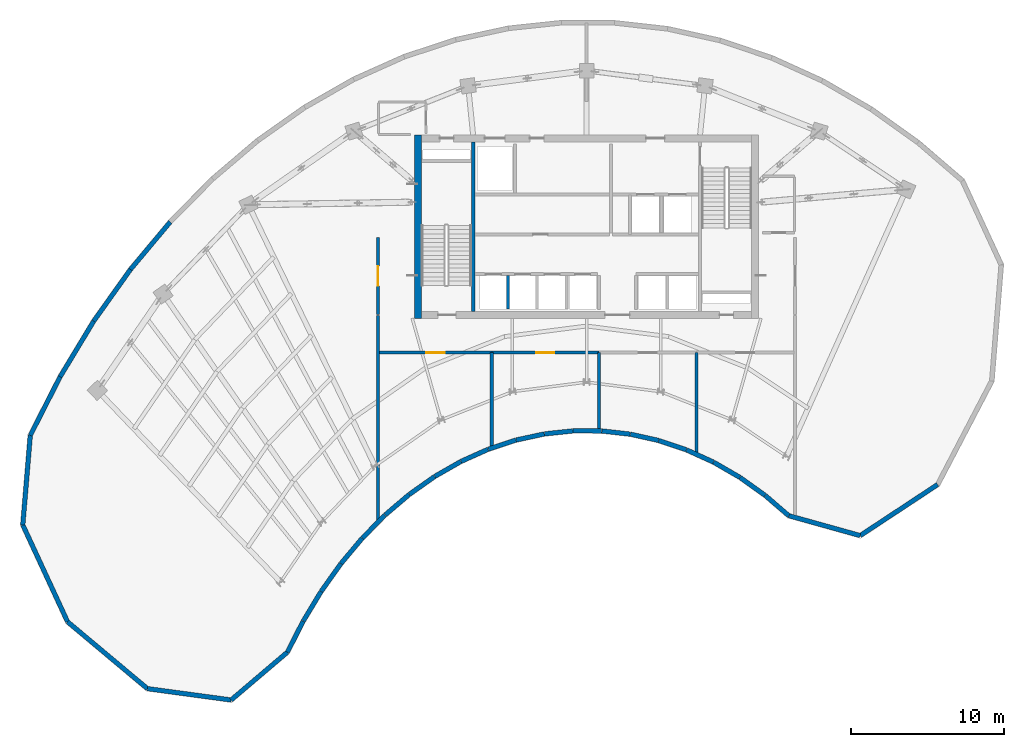
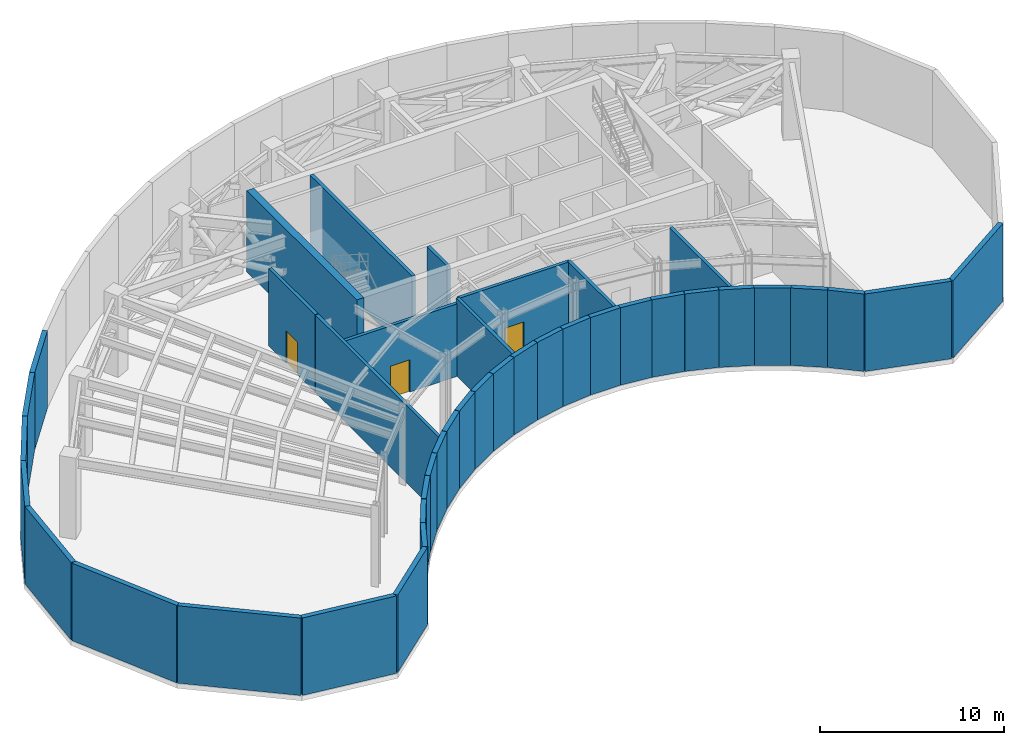
# One storey, part 6 of 10: 41 walls, 3 doors, 3 openings.
"""IFC4 building model written with IfcOpenShell, lengths in metres."""

from ifc_helpers import new_model, si_unit, direction, frame, frame_2d, origin, place, context, subcontext, project, spatial, rectangle, extrude, source, transform, mapped, material, layer, layer_set, type_object, type_shapes, element, fill, save


model = new_model("IFC4")

# Units and contexts
model_context = context("Model", 3, precision=1e-05, world=origin(), true_north=direction((0.0, 1.0)))
body_context = subcontext(model_context, "Body", "Model", "MODEL_VIEW")
ifc_project = project(units=[si_unit("LENGTHUNIT", "METRE"), si_unit("AREAUNIT", "SQUARE_METRE"), si_unit("VOLUMEUNIT", "CUBIC_METRE"), si_unit("PLANEANGLEUNIT", "RADIAN"), si_unit("MASSUNIT", "GRAM", prefix="KILO")], contexts=[model_context])

# Site, building, storey
site_placement = place(None, origin())
site = spatial("IfcSite", under=ifc_project, at=site_placement, CompositionType="ELEMENT")
building_placement = place(site_placement, origin())
building = spatial("IfcBuilding", under=site, at=building_placement, Name="Breltana Convention Tower", CompositionType="ELEMENT")
storey_placement = place(building_placement, frame((0.0, 0.0, 254.699951171875)))
storey = spatial("IfcBuildingStorey", under=building, at=storey_placement, Name="L62", CompositionType="ELEMENT", Elevation=254.699951171875)

# Walls
ifc_material_1 = material(Name="Concrete C60/75", Category="concrete")
ifc_layer_1 = layer(ifc_material_1, 0.449951171875, Name="Concrete C60/75")
ifc_layer_set_1 = layer_set([ifc_layer_1], Name="Concrete C60/75")
wall_type_1 = type_object("IfcWallType", Name="SW-CORE-450", PredefinedType="SHEAR", material=ifc_layer_set_1)
shared_shape_1 = source(origin(), body_context, "Body", "SweptSolid", [
    extrude(rectangle(XDim=12.0, YDim=0.449951171875, at=frame_2d((6.0, 0.0))), origin(), (0.0, 0.0, 1.0), 5.400146484375),
])
wall_1_placement = place(storey_placement, frame((36.97509765625, 60.199951171875, 0.0), z_axis=(0.0, 0.0, 1.0), x_axis=(0.0, 1.0, 0.0)))
element("IfcWall", 1, at=wall_1_placement, inside=storey, type_object=wall_type_1, Name="L62 West Core Shear Wall", PredefinedType="SHEAR", context=body_context, shape_type="MappedRepresentation", body=[
    mapped(shared_shape_1, transform((0.0, 0.0, 0.0), scale=1.0)),
])
ifc_material_2 = material(Name="Concrete C50/60", Category="concrete")
ifc_layer_2 = layer(ifc_material_2, 0.39990234375, Name="Concrete C50/60")
ifc_layer_set_2 = layer_set([ifc_layer_2], Name="Concrete C50/60")
wall_type_2 = type_object("IfcWallType", Name="SW-CORE-400", PredefinedType="SHEAR", material=ifc_layer_set_2)
shared_shape_2 = source(origin(), body_context, "Body", "SweptSolid", [
    extrude(rectangle(XDim=11.10009765625, YDim=0.219970703125, at=frame_2d((5.550048828125, 0.0))), origin(), (0.0, 0.0, 1.0), 5.400146484375),
])
wall_2_placement = place(storey_placement, frame((40.580078125, 60.64990234375, 0.0), z_axis=(0.0, 0.0, 1.0), x_axis=(0.0, 1.0, 0.0)))
element("IfcWall", 2, at=wall_2_placement, inside=storey, type_object=wall_type_2, Name="L62 Core West Stair Spine Wall", PredefinedType="SHEAR", context=body_context, shape_type="MappedRepresentation", body=[
    mapped(shared_shape_2, transform((0.0, 0.0, 0.0), scale=1.0)),
])
ifc_material_3 = material(Name="Limestone Buff Insulated Wall", Category="masonry")
ifc_layer_3 = layer(ifc_material_3, 0.300048828125, Name="Limestone Buff Insulated Wall")
ifc_layer_set_3 = layer_set([ifc_layer_3], Name="Limestone Buff Insulated Wall")
wall_type_3 = type_object("IfcWallType", Name="WL-EXT-CRN-300", PredefinedType="SOLIDWALL", material=ifc_layer_set_3)
shared_shape_3 = source(origin(), body_context, "Body", "SweptSolid", [
    extrude(rectangle(XDim=6.065185546875, YDim=0.300048828125, at=frame_2d((3.03271484375, 0.0))), origin(), (0.0, 0.0, 1.0), 5.150146484375),
])
wall_3_placement = place(storey_placement, frame((70.9541015625, 49.3349609375, 0.0), z_axis=(0.0, 0.0, 1.0), x_axis=(-0.834857303202, -0.550466423399, 0.0)))
element("IfcWall", 3, at=wall_3_placement, inside=storey, type_object=wall_type_3, Name="L62 mechanical limestone enclosure wall 4", PredefinedType="SOLIDWALL", context=body_context, shape_type="MappedRepresentation", body=[
    mapped(shared_shape_3, transform((0.0, 0.0, 0.0), scale=1.0)),
])
shared_shape_4 = source(origin(), body_context, "Body", "SweptSolid", [
    extrude(rectangle(XDim=4.84716796875, YDim=0.300048828125, at=frame_2d((2.423583984375, 0.0))), origin(), (0.0, 0.0, 1.0), 5.150146484375),
])
wall_4_placement = place(storey_placement, frame((65.890625, 45.996337890625, 0.0), z_axis=(0.0, 0.0, 1.0), x_axis=(-0.963208430762, 0.268755500238, 0.0)))
element("IfcWall", 4, at=wall_4_placement, inside=storey, type_object=wall_type_3, Name="L62 mechanical limestone enclosure wall 5", PredefinedType="SOLIDWALL", context=body_context, shape_type="MappedRepresentation", body=[
    mapped(shared_shape_4, transform((0.0, 0.0, 0.0), scale=1.0)),
])
shared_shape_5 = source(origin(), body_context, "Body", "SweptSolid", [
    extrude(rectangle(XDim=2.022216796875, YDim=0.300048828125, at=frame_2d((1.01123046875, 0.0))), origin(), (0.0, 0.0, 1.0), 5.150146484375),
])
wall_5_placement = place(storey_placement, frame((61.2216796875, 47.299072265625, 0.0), z_axis=(0.0, 0.0, 1.0), x_axis=(-0.758343943716, 0.651854633358, 0.0)))
element("IfcWall", 5, at=wall_5_placement, inside=storey, type_object=wall_type_3, Name="L62 mechanical limestone enclosure wall 6", PredefinedType="SOLIDWALL", context=body_context, shape_type="MappedRepresentation", body=[
    mapped(shared_shape_5, transform((0.0, 0.0, 0.0), scale=1.0)),
])
shared_shape_6 = source(origin(), body_context, "Body", "SweptSolid", [
    extrude(rectangle(XDim=2.014404296875, YDim=0.300048828125, at=frame_2d((1.00732421875, 0.0))), origin(), (0.0, 0.0, 1.0), 5.150146484375),
])
wall_6_placement = place(storey_placement, frame((59.67529296875, 48.627197265625, 0.0), z_axis=(0.0, 0.0, 1.0), x_axis=(-0.814126378736, 0.580687729719, 0.0)))
element("IfcWall", 6, at=wall_6_placement, inside=storey, type_object=wall_type_3, Name="L62 mechanical limestone enclosure wall 8", PredefinedType="SOLIDWALL", context=body_context, shape_type="MappedRepresentation", body=[
    mapped(shared_shape_6, transform((0.0, 0.0, 0.0), scale=1.0)),
])
shared_shape_7 = source(origin(), body_context, "Body", "SweptSolid", [
    extrude(rectangle(XDim=1.970947265625, YDim=0.300048828125, at=frame_2d((0.9853515625, 0.0))), origin(), (0.0, 0.0, 1.0), 5.150146484375),
])
wall_7_placement = place(storey_placement, frame((58.02099609375, 49.80615234375, 0.0), z_axis=(0.0, 0.0, 1.0), x_axis=(-0.865347122034, 0.5011729825, 0.0)))
element("IfcWall", 7, at=wall_7_placement, inside=storey, type_object=wall_type_3, Name="L62 mechanical limestone enclosure wall 10", PredefinedType="SOLIDWALL", context=body_context, shape_type="MappedRepresentation", body=[
    mapped(shared_shape_7, transform((0.0, 0.0, 0.0), scale=1.0)),
])
shared_shape_8 = source(origin(), body_context, "Body", "SweptSolid", [
    extrude(rectangle(XDim=1.932861328125, YDim=0.300048828125, at=frame_2d((0.96630859375, 0.0))), origin(), (0.0, 0.0, 1.0), 5.150146484375),
])
wall_8_placement = place(storey_placement, frame((56.2998046875, 50.802001953125, 0.0), z_axis=(0.0, 0.0, 1.0), x_axis=(-0.910478916145, 0.413555489936, 0.0)))
element("IfcWall", 8, at=wall_8_placement, inside=storey, type_object=wall_type_3, Name="L62 mechanical limestone enclosure wall 12", PredefinedType="SOLIDWALL", context=body_context, shape_type="MappedRepresentation", body=[
    mapped(shared_shape_8, transform((0.0, 0.0, 0.0), scale=1.0)),
])
shared_shape_9 = source(origin(), body_context, "Body", "SweptSolid", [
    extrude(rectangle(XDim=1.901123046875, YDim=0.300048828125, at=frame_2d((0.95068359375, 0.0))), origin(), (0.0, 0.0, 1.0), 5.150146484375),
])
wall_9_placement = place(storey_placement, frame((54.52294921875, 51.608154296875, 0.0), z_axis=(0.0, 0.0, 1.0), x_axis=(-0.94793587841, 0.318461254194, 0.0)))
element("IfcWall", 9, at=wall_9_placement, inside=storey, type_object=wall_type_3, Name="L62 mechanical limestone enclosure wall 14", PredefinedType="SOLIDWALL", context=body_context, shape_type="MappedRepresentation", body=[
    mapped(shared_shape_9, transform((0.0, 0.0, 0.0), scale=1.0)),
])
shared_shape_10 = source(origin(), body_context, "Body", "SweptSolid", [
    extrude(rectangle(XDim=1.877685546875, YDim=0.300048828125, at=frame_2d((0.93896484375, 0.0))), origin(), (0.0, 0.0, 1.0), 5.150146484375),
])
wall_10_placement = place(storey_placement, frame((52.702392578125, 52.21875, 0.0), z_axis=(0.0, 0.0, 1.0), x_axis=(-0.976138082714, 0.217150739061, 0.0)))
element("IfcWall", 10, at=wall_10_placement, inside=storey, type_object=wall_type_3, Name="L62 mechanical limestone enclosure wall 16", PredefinedType="SOLIDWALL", context=body_context, shape_type="MappedRepresentation", body=[
    mapped(shared_shape_10, transform((0.0, 0.0, 0.0), scale=1.0)),
])
shared_shape_11 = source(origin(), body_context, "Body", "SweptSolid", [
    extrude(rectangle(XDim=1.86328125, YDim=0.300048828125, at=frame_2d((0.931640625, 0.0))), origin(), (0.0, 0.0, 1.0), 5.150146484375),
])
wall_11_placement = place(storey_placement, frame((50.8505859375, 52.629638671875, 0.0), z_axis=(0.0, 0.0, 1.0), x_axis=(-0.9937939307, 0.111236789343, 0.0)))
element("IfcWall", 11, at=wall_11_placement, inside=storey, type_object=wall_type_3, Name="L62 mechanical limestone enclosure wall 18", PredefinedType="SOLIDWALL", context=body_context, shape_type="MappedRepresentation", body=[
    mapped(shared_shape_11, transform((0.0, 0.0, 0.0), scale=1.0)),
])
shared_shape_12 = source(origin(), body_context, "Body", "SweptSolid", [
    extrude(rectangle(XDim=1.858154296875, YDim=0.300048828125, at=frame_2d((0.92919921875, 0.0))), origin(), (0.0, 0.0, 1.0), 5.150146484375),
])
wall_12_placement = place(storey_placement, frame((48.9794921875, 52.837890625, 0.0), z_axis=(0.0, 0.0, 1.0), x_axis=(-0.999995433965, 0.003021928128, 0.0)))
element("IfcWall", 12, at=wall_12_placement, inside=storey, type_object=wall_type_3, Name="L62 mechanical limestone enclosure wall 20", PredefinedType="SOLIDWALL", context=body_context, shape_type="MappedRepresentation", body=[
    mapped(shared_shape_12, transform((0.0, 0.0, 0.0), scale=1.0)),
])
shared_shape_13 = source(origin(), body_context, "Body", "SweptSolid", [
    extrude(rectangle(XDim=1.8623046875, YDim=0.300048828125, at=frame_2d((0.93115234375, 0.0))), origin(), (0.0, 0.0, 1.0), 5.150146484375),
])
wall_13_placement = place(storey_placement, frame((47.101806640625, 52.84228515625, 0.0), z_axis=(0.0, 0.0, 1.0), x_axis=(-0.994430497743, -0.1053944266, 0.0)))
element("IfcWall", 13, at=wall_13_placement, inside=storey, type_object=wall_type_3, Name="L62 mechanical limestone enclosure wall 22", PredefinedType="SOLIDWALL", context=body_context, shape_type="MappedRepresentation", body=[
    mapped(shared_shape_13, transform((0.0, 0.0, 0.0), scale=1.0)),
])
shared_shape_14 = source(origin(), body_context, "Body", "SweptSolid", [
    extrude(rectangle(XDim=1.876708984375, YDim=0.300048828125, at=frame_2d((0.9384765625, 0.0))), origin(), (0.0, 0.0, 1.0), 5.150146484375),
])
wall_14_placement = place(storey_placement, frame((45.230712890625, 52.642822265625, 0.0), z_axis=(0.0, 0.0, 1.0), x_axis=(-0.97737202312, -0.211527606761, 0.0)))
element("IfcWall", 14, at=wall_14_placement, inside=storey, type_object=wall_type_3, Name="L62 mechanical limestone enclosure wall 24", PredefinedType="SOLIDWALL", context=body_context, shape_type="MappedRepresentation", body=[
    mapped(shared_shape_14, transform((0.0, 0.0, 0.0), scale=1.0)),
])
shared_shape_15 = source(origin(), body_context, "Body", "SweptSolid", [
    extrude(rectangle(XDim=1.899658203125, YDim=0.300048828125, at=frame_2d((0.94970703125, 0.0))), origin(), (0.0, 0.0, 1.0), 5.150146484375),
])
wall_15_placement = place(storey_placement, frame((43.378173828125, 52.240966796875, 0.0), z_axis=(0.0, 0.0, 1.0), x_axis=(-0.949693643068, -0.313180434121, 0.0)))
element("IfcWall", 15, at=wall_15_placement, inside=storey, type_object=wall_type_3, Name="L62 mechanical limestone enclosure wall 26", PredefinedType="SOLIDWALL", context=body_context, shape_type="MappedRepresentation", body=[
    mapped(shared_shape_15, transform((0.0, 0.0, 0.0), scale=1.0)),
])
shared_shape_16 = source(origin(), body_context, "Body", "SweptSolid", [
    extrude(rectangle(XDim=1.930908203125, YDim=0.300048828125, at=frame_2d((0.96533203125, 0.0))), origin(), (0.0, 0.0, 1.0), 5.150146484375),
])
wall_16_placement = place(storey_placement, frame((41.556884765625, 51.639404296875, 0.0), z_axis=(0.0, 0.0, 1.0), x_axis=(-0.912681759743, -0.408671023481, 0.0)))
element("IfcWall", 16, at=wall_16_placement, inside=storey, type_object=wall_type_3, Name="L62 mechanical limestone enclosure wall 28", PredefinedType="SOLIDWALL", context=body_context, shape_type="MappedRepresentation", body=[
    mapped(shared_shape_16, transform((0.0, 0.0, 0.0), scale=1.0)),
])
shared_shape_17 = source(origin(), body_context, "Body", "SweptSolid", [
    extrude(rectangle(XDim=1.968994140625, YDim=0.300048828125, at=frame_2d((0.984375, 0.0))), origin(), (0.0, 0.0, 1.0), 5.150146484375),
])
wall_17_placement = place(storey_placement, frame((39.77880859375, 50.84228515625, 0.0), z_axis=(0.0, 0.0, 1.0), x_axis=(-0.86797594681, -0.496606238139, 0.0)))
element("IfcWall", 17, at=wall_17_placement, inside=storey, type_object=wall_type_3, Name="L62 mechanical limestone enclosure wall 30", PredefinedType="SOLIDWALL", context=body_context, shape_type="MappedRepresentation", body=[
    mapped(shared_shape_17, transform((0.0, 0.0, 0.0), scale=1.0)),
])
shared_shape_18 = source(origin(), body_context, "Body", "SweptSolid", [
    extrude(rectangle(XDim=2.011962890625, YDim=0.300048828125, at=frame_2d((1.005859375, 0.0))), origin(), (0.0, 0.0, 1.0), 5.150146484375),
])
wall_18_placement = place(storey_placement, frame((38.055419921875, 49.855224609375, 0.0), z_axis=(0.0, 0.0, 1.0), x_axis=(-0.817008215805, -0.576626027255, 0.0)))
element("IfcWall", 18, at=wall_18_placement, inside=storey, type_object=wall_type_3, Name="L62 mechanical limestone enclosure wall 32", PredefinedType="SOLIDWALL", context=body_context, shape_type="MappedRepresentation", body=[
    mapped(shared_shape_18, transform((0.0, 0.0, 0.0), scale=1.0)),
])
shared_shape_19 = source(origin(), body_context, "Body", "SweptSolid", [
    extrude(rectangle(XDim=2.0595703125, YDim=0.300048828125, at=frame_2d((1.02978515625, 0.0))), origin(), (0.0, 0.0, 1.0), 5.150146484375),
])
wall_19_placement = place(storey_placement, frame((36.398681640625, 48.68505859375, 0.0), z_axis=(0.0, 0.0, 1.0), x_axis=(-0.761494573969, -0.648171284319, 0.0)))
element("IfcWall", 19, at=wall_19_placement, inside=storey, type_object=wall_type_3, Name="L62 mechanical limestone enclosure wall 34", PredefinedType="SOLIDWALL", context=body_context, shape_type="MappedRepresentation", body=[
    mapped(shared_shape_19, transform((0.0, 0.0, 0.0), scale=1.0)),
])
shared_shape_20 = source(origin(), body_context, "Body", "SweptSolid", [
    extrude(rectangle(XDim=2.109619140625, YDim=0.300048828125, at=frame_2d((1.0546875, 0.0))), origin(), (0.0, 0.0, 1.0), 5.150146484375),
])
wall_20_placement = place(storey_placement, frame((34.819091796875, 47.339599609375, 0.0), z_axis=(0.0, 0.0, 1.0), x_axis=(-0.702695473125, -0.711490739258, 0.0)))
element("IfcWall", 20, at=wall_20_placement, inside=storey, type_object=wall_type_3, Name="L62 mechanical limestone enclosure wall 36", PredefinedType="SOLIDWALL", context=body_context, shape_type="MappedRepresentation", body=[
    mapped(shared_shape_20, transform((0.0, 0.0, 0.0), scale=1.0)),
])
shared_shape_21 = source(origin(), body_context, "Body", "SweptSolid", [
    extrude(rectangle(XDim=2.16064453125, YDim=0.300048828125, at=frame_2d((1.080322265625, 0.0))), origin(), (0.0, 0.0, 1.0), 5.150146484375),
])
wall_21_placement = place(storey_placement, frame((33.32666015625, 45.82763671875, 0.0), z_axis=(0.0, 0.0, 1.0), x_axis=(-0.641794516235, -0.766876651705, 0.0)))
element("IfcWall", 21, at=wall_21_placement, inside=storey, type_object=wall_type_3, Name="L62 mechanical limestone enclosure wall 38", PredefinedType="SOLIDWALL", context=body_context, shape_type="MappedRepresentation", body=[
    mapped(shared_shape_21, transform((0.0, 0.0, 0.0), scale=1.0)),
])
shared_shape_22 = source(origin(), body_context, "Body", "SweptSolid", [
    extrude(rectangle(XDim=2.211669921875, YDim=0.300048828125, at=frame_2d((1.10595703125, 0.0))), origin(), (0.0, 0.0, 1.0), 5.150146484375),
])
wall_22_placement = place(storey_placement, frame((31.931396484375, 44.159423828125, 0.0), z_axis=(0.0, 0.0, 1.0), x_axis=(-0.579639452819, -0.814873060504, 0.0)))
element("IfcWall", 22, at=wall_22_placement, inside=storey, type_object=wall_type_3, Name="L62 mechanical limestone enclosure wall 40", PredefinedType="SOLIDWALL", context=body_context, shape_type="MappedRepresentation", body=[
    mapped(shared_shape_22, transform((0.0, 0.0, 0.0), scale=1.0)),
])
shared_shape_23 = source(origin(), body_context, "Body", "SweptSolid", [
    extrude(rectangle(XDim=2.260986328125, YDim=0.300048828125, at=frame_2d((1.13037109375, 0.0))), origin(), (0.0, 0.0, 1.0), 5.150146484375),
])
wall_23_placement = place(storey_placement, frame((30.64208984375, 42.345703125, 0.0), z_axis=(0.0, 0.0, 1.0), x_axis=(-0.516891494538, -0.856050923062, 0.0)))
element("IfcWall", 23, at=wall_23_placement, inside=storey, type_object=wall_type_3, Name="L62 mechanical limestone enclosure wall 42", PredefinedType="SOLIDWALL", context=body_context, shape_type="MappedRepresentation", body=[
    mapped(shared_shape_23, transform((0.0, 0.0, 0.0), scale=1.0)),
])
shared_shape_24 = source(origin(), body_context, "Body", "SweptSolid", [
    extrude(rectangle(XDim=2.271484375, YDim=0.300048828125, at=frame_2d((1.1357421875, 0.0))), origin(), (0.0, 0.0, 1.0), 5.150146484375),
])
wall_24_placement = place(storey_placement, frame((29.467041015625, 40.39892578125, 0.0), z_axis=(0.0, 0.0, 1.0), x_axis=(-0.453993402883, -0.891005044957, 0.0)))
element("IfcWall", 24, at=wall_24_placement, inside=storey, type_object=wall_type_3, Name="L62 mechanical limestone enclosure wall 44", PredefinedType="SOLIDWALL", context=body_context, shape_type="MappedRepresentation", body=[
    mapped(shared_shape_24, transform((0.0, 0.0, 0.0), scale=1.0)),
])
shared_shape_25 = source(origin(), body_context, "Body", "SweptSolid", [
    extrude(rectangle(XDim=4.830078125, YDim=0.300048828125, at=frame_2d((2.4150390625, 0.0))), origin(), (0.0, 0.0, 1.0), 5.150146484375),
])
wall_25_placement = place(storey_placement, frame((28.435791015625, 38.375, 0.0), z_axis=(0.0, 0.0, 1.0), x_axis=(-0.761890676316, -0.647705640968, 0.0)))
element("IfcWall", 25, at=wall_25_placement, inside=storey, type_object=wall_type_3, Name="L62 mechanical limestone enclosure wall 45", PredefinedType="SOLIDWALL", context=body_context, shape_type="MappedRepresentation", body=[
    mapped(shared_shape_25, transform((0.0, 0.0, 0.0), scale=1.0)),
])
shared_shape_26 = source(origin(), body_context, "Body", "SweptSolid", [
    extrude(rectangle(XDim=5.51953125, YDim=0.300048828125, at=frame_2d((2.759765625, 0.0))), origin(), (0.0, 0.0, 1.0), 5.150146484375),
])
wall_26_placement = place(storey_placement, frame((24.755859375, 35.24658203125, 0.0), z_axis=(0.0, 0.0, 1.0), x_axis=(-0.99093029136, 0.134376923856, 0.0)))
element("IfcWall", 26, at=wall_26_placement, inside=storey, type_object=wall_type_3, Name="L62 mechanical limestone enclosure wall 46", PredefinedType="SOLIDWALL", context=body_context, shape_type="MappedRepresentation", body=[
    mapped(shared_shape_26, transform((0.0, 0.0, 0.0), scale=1.0)),
])
shared_shape_27 = source(origin(), body_context, "Body", "SweptSolid", [
    extrude(rectangle(XDim=6.81201171875, YDim=0.300048828125, at=frame_2d((3.406005859375, 0.0))), origin(), (0.0, 0.0, 1.0), 5.150146484375),
])
wall_27_placement = place(storey_placement, frame((19.286376953125, 35.98828125, 0.0), z_axis=(0.0, 0.0, 1.0), x_axis=(-0.766712133953, 0.641991046394, 0.0)))
element("IfcWall", 27, at=wall_27_placement, inside=storey, type_object=wall_type_3, Name="L62 mechanical limestone enclosure wall 47", PredefinedType="SOLIDWALL", context=body_context, shape_type="MappedRepresentation", body=[
    mapped(shared_shape_27, transform((0.0, 0.0, 0.0), scale=1.0)),
])
shared_shape_28 = source(origin(), body_context, "Body", "SweptSolid", [
    extrude(rectangle(XDim=6.976806640625, YDim=0.300048828125, at=frame_2d((3.48828125, 0.0))), origin(), (0.0, 0.0, 1.0), 5.150146484375),
])
wall_28_placement = place(storey_placement, frame((14.0634765625, 40.361572265625, 0.0), z_axis=(0.0, 0.0, 1.0), x_axis=(-0.41966832263, 0.907677530283, 0.0)))
element("IfcWall", 28, at=wall_28_placement, inside=storey, type_object=wall_type_3, Name="L62 mechanical limestone enclosure wall 48", PredefinedType="SOLIDWALL", context=body_context, shape_type="MappedRepresentation", body=[
    mapped(shared_shape_28, transform((0.0, 0.0, 0.0), scale=1.0)),
])
shared_shape_29 = source(origin(), body_context, "Body", "SweptSolid", [
    extrude(rectangle(XDim=5.880859375, YDim=0.300048828125, at=frame_2d((2.9404296875, 0.0))), origin(), (0.0, 0.0, 1.0), 5.150146484375),
])
wall_29_placement = place(storey_placement, frame((11.135498046875, 46.6943359375, 0.0), z_axis=(0.0, 0.0, 1.0), x_axis=(0.083320333731, 0.996522815588, 0.0)))
element("IfcWall", 29, at=wall_29_placement, inside=storey, type_object=wall_type_3, Name="L62 mechanical limestone enclosure wall 49", PredefinedType="SOLIDWALL", context=body_context, shape_type="MappedRepresentation", body=[
    mapped(shared_shape_29, transform((0.0, 0.0, 0.0), scale=1.0)),
])
shared_shape_30 = source(origin(), body_context, "Body", "SweptSolid", [
    extrude(rectangle(XDim=4.30126953125, YDim=0.300048828125, at=frame_2d((2.150634765625, 0.0))), origin(), (0.0, 0.0, 1.0), 5.150146484375),
])
wall_30_placement = place(storey_placement, frame((11.62548828125, 52.5546875, 0.0), z_axis=(0.0, 0.0, 1.0), x_axis=(0.454011655096, 0.89099574468, 0.0)))
element("IfcWall", 30, at=wall_30_placement, inside=storey, type_object=wall_type_3, Name="L62 mechanical limestone enclosure wall 50", PredefinedType="SOLIDWALL", context=body_context, shape_type="MappedRepresentation", body=[
    mapped(shared_shape_30, transform((0.0, 0.0, 0.0), scale=1.0)),
])
shared_shape_31 = source(origin(), body_context, "Body", "SweptSolid", [
    extrude(rectangle(XDim=4.2421875, YDim=0.300048828125, at=frame_2d((2.12109375, 0.0))), origin(), (0.0, 0.0, 1.0), 5.150146484375),
])
wall_31_placement = place(storey_placement, frame((13.578369140625, 56.38720703125, 0.0), z_axis=(0.0, 0.0, 1.0), x_axis=(0.516863528624, 0.856067808516, 0.0)))
element("IfcWall", 31, at=wall_31_placement, inside=storey, type_object=wall_type_3, Name="L62 mechanical limestone enclosure wall 51", PredefinedType="SOLIDWALL", context=body_context, shape_type="MappedRepresentation", body=[
    mapped(shared_shape_31, transform((0.0, 0.0, 0.0), scale=1.0)),
])
shared_shape_32 = source(origin(), body_context, "Body", "SweptSolid", [
    extrude(rectangle(XDim=4.14892578125, YDim=0.300048828125, at=frame_2d((2.074462890625, 0.0))), origin(), (0.0, 0.0, 1.0), 5.150146484375),
])
wall_32_placement = place(storey_placement, frame((15.77099609375, 60.018798828125, 0.0), z_axis=(0.0, 0.0, 1.0), x_axis=(0.579622789827, 0.814884913048, 0.0)))
element("IfcWall", 32, at=wall_32_placement, inside=storey, type_object=wall_type_3, Name="L62 mechanical limestone enclosure wall 52", PredefinedType="SOLIDWALL", context=body_context, shape_type="MappedRepresentation", body=[
    mapped(shared_shape_32, transform((0.0, 0.0, 0.0), scale=1.0)),
])
shared_shape_33 = source(origin(), body_context, "Body", "SweptSolid", [
    extrude(rectangle(XDim=4.05224609375, YDim=0.300048828125, at=frame_2d((2.026123046875, 0.0))), origin(), (0.0, 0.0, 1.0), 5.150146484375),
])
wall_33_placement = place(storey_placement, frame((18.17578125, 63.399658203125, 0.0), z_axis=(0.0, 0.0, 1.0), x_axis=(0.641765301437, 0.76690110045, 0.0)))
element("IfcWall", 33, at=wall_33_placement, inside=storey, type_object=wall_type_3, Name="L62 mechanical limestone enclosure wall 53", PredefinedType="SOLIDWALL", context=body_context, shape_type="MappedRepresentation", body=[
    mapped(shared_shape_33, transform((0.0, 0.0, 0.0), scale=1.0)),
])
ifc_material_4 = material(Name="Autoclaved Aerated Concrete Block", Category="concrete")
ifc_layer_4 = layer(ifc_material_4, 0.199951171875, Name="Autoclaved Aerated Concrete Block")
ifc_layer_set_4 = layer_set([ifc_layer_4], Name="Autoclaved Aerated Concrete Block")
wall_type_4 = type_object("IfcWallType", Name="WL-SHAFT-200", PredefinedType="SOLIDWALL", material=ifc_layer_set_4)
shared_shape_34 = source(origin(), body_context, "Body", "SweptSolid", [
    extrude(rectangle(XDim=2.199951171875, YDim=0.199951171875, at=frame_2d((1.10009765625, 0.0))), origin(), (0.0, 0.0, 1.0), 5.150146484375),
])
wall_34_placement = place(storey_placement, frame((42.8701171875, 60.800048828125, 0.0), z_axis=(0.0, 0.0, 1.0), x_axis=(0.0, 1.0, 0.0)))
element("IfcWall", 34, at=wall_34_placement, inside=storey, type_object=wall_type_4, Name="L62 interior partition W-L62-SH-S-DIV1", PredefinedType="SOLIDWALL", context=body_context, shape_type="MappedRepresentation", body=[
    mapped(shared_shape_34, transform((0.0, 0.0, 0.0), scale=1.0)),
])

# Wall, opening, door
shared_shape_35 = source(origin(), body_context, "Body", "SweptSolid", [
    extrude(rectangle(XDim=7.35009765625, YDim=0.199951171875, at=frame_2d((3.675048828125, 0.0))), origin(), (0.0, 0.0, 1.0), 4.823974609375),
])
wall_35_placement = place(storey_placement, frame((34.449951171875, 57.9599609375, 0.0), z_axis=(0.0, 0.0, 1.0), x_axis=(1.0, 0.0, 0.0)))
wall_35 = element("IfcWall", 35, at=wall_35_placement, inside=storey, type_object=wall_type_4, Name="L62 interior partition W-L62-PLS-N1", PredefinedType="SOLIDWALL", context=body_context, shape_type="MappedRepresentation", body=[
    mapped(shared_shape_35, transform((0.0, 0.0, 0.0), scale=1.0)),
])
opening_1_placement = place(wall_35_placement, frame((3.074951171875, 0.0, 0.0)))
opening_1 = element("IfcOpeningElement", 36, at=opening_1_placement, cuts=wall_35, Name="Opening D-09", PredefinedType="OPENING", context=body_context, shape_type="SweptSolid", body=[
    extrude(rectangle(XDim=1.199951171875, YDim=2.14990234375, at=frame_2d((0.60009765625, 1.074951171875))), frame((0.0, 0.10986328125, 0.0), z_axis=(0.0, -1.0, 0.0), x_axis=(1.0, 0.0, 0.0)), (0.0, 0.0, 1.0), 0.219970703125),
])
ifc_material_5 = material(Name="Steel Fire Lobby Door", Category="steel")
door_type_1 = type_object("IfcDoorType", Name="DR-FD120-1200", OperationType="NOTDEFINED", PredefinedType="DOOR", material=ifc_material_5)
shared_shape_36 = source(origin(), body_context, "Body", "SweptSolid", [
    extrude(rectangle(XDim=1.199951171875, YDim=2.14990234375, at=frame_2d((0.60009765625, 1.074951171875))), frame((0.0, 0.02490234375, 0.0), z_axis=(0.0, -1.0, 0.0), x_axis=(1.0, 0.0, 0.0)), (0.0, 0.0, 1.0), 0.050048828125),
])
type_shapes(door_type_1, [shared_shape_36])
door_1_placement = place(opening_1_placement, origin())
door_1 = element("IfcDoor", 37, at=door_1_placement, inside=storey, type_object=door_type_1, Name="L62 interior door D-L62-PL-AHU", OperationType="SINGLE_SWING_RIGHT", OverallHeight=2.14990234375, OverallWidth=1.199951171875, PredefinedType="DOOR", context=body_context, shape_type="MappedRepresentation", body=[
    mapped(shared_shape_36, transform((0.0, 0.0, 0.0), scale=1.0)),
])
fill(opening_1, door_1)

# Wall
shared_shape_37 = source(origin(), body_context, "Body", "SweptSolid", [
    extrude(rectangle(XDim=6.22900390625, YDim=0.199951171875, at=frame_2d((3.114501953125, 0.0))), origin(), (0.0, 0.0, 1.0), 5.150146484375),
])
wall_36_placement = place(storey_placement, frame((41.800048828125, 51.73095703125, 0.0), z_axis=(0.0, 0.0, 1.0), x_axis=(0.0, 1.0, 0.0)))
element("IfcWall", 38, at=wall_36_placement, inside=storey, type_object=wall_type_4, Name="L62 interior partition W-L62-PLS-M1", PredefinedType="SOLIDWALL", context=body_context, shape_type="MappedRepresentation", body=[
    mapped(shared_shape_37, transform((0.0, 0.0, 0.0), scale=1.0)),
])

# Wall, opening, door
shared_shape_38 = source(origin(), body_context, "Body", "SweptSolid", [
    extrude(rectangle(XDim=7.0, YDim=0.199951171875, at=frame_2d((3.5, 0.0))), origin(), (0.0, 0.0, 1.0), 5.150146484375),
])
wall_37_placement = place(storey_placement, frame((41.800048828125, 57.9599609375, 0.0), z_axis=(0.0, 0.0, 1.0), x_axis=(1.0, 0.0, 0.0)))
wall_37 = element("IfcWall", 39, at=wall_37_placement, inside=storey, type_object=wall_type_4, Name="L62 interior partition W-L62-PLS-N2", PredefinedType="SOLIDWALL", context=body_context, shape_type="MappedRepresentation", body=[
    mapped(shared_shape_38, transform((0.0, 0.0, 0.0), scale=1.0)),
])
opening_2_placement = place(wall_37_placement, frame((2.89990234375, 0.0, 0.0)))
opening_2 = element("IfcOpeningElement", 40, at=opening_2_placement, cuts=wall_37, Name="Opening D-09", PredefinedType="OPENING", context=body_context, shape_type="SweptSolid", body=[
    extrude(rectangle(XDim=1.199951171875, YDim=2.14990234375, at=frame_2d((0.60009765625, 1.074951171875))), frame((0.0, 0.10986328125, 0.0), z_axis=(0.0, -1.0, 0.0), x_axis=(1.0, 0.0, 0.0)), (0.0, 0.0, 1.0), 0.219970703125),
])
door_2_placement = place(opening_2_placement, origin())
door_2 = element("IfcDoor", 41, at=door_2_placement, inside=storey, type_object=door_type_1, Name="L62 interior door D-L62-PL-DMP", OperationType="SINGLE_SWING_LEFT", OverallHeight=2.14990234375, OverallWidth=1.199951171875, PredefinedType="DOOR", context=body_context, shape_type="MappedRepresentation", body=[
    mapped(shared_shape_36, transform((0.0, 0.0, 0.0), scale=1.0)),
])
fill(opening_2, door_2)

# Walls
shared_shape_39 = source(origin(), body_context, "Body", "SweptSolid", [
    extrude(rectangle(XDim=5.111572265625, YDim=0.199951171875, at=frame_2d((2.5556640625, 0.0))), origin(), (0.0, 0.0, 1.0), 5.150146484375),
])
wall_38_placement = place(storey_placement, frame((48.800048828125, 52.848388671875, 0.0), z_axis=(0.0, 0.0, 1.0), x_axis=(0.0, 1.0, 0.0)))
element("IfcWall", 42, at=wall_38_placement, inside=storey, type_object=wall_type_4, Name="L62 interior partition W-L62-PLS-M2", PredefinedType="SOLIDWALL", context=body_context, shape_type="MappedRepresentation", body=[
    mapped(shared_shape_39, transform((0.0, 0.0, 0.0), scale=1.0)),
])
shared_shape_40 = source(origin(), body_context, "Body", "SweptSolid", [
    extrude(rectangle(XDim=6.6474609375, YDim=0.199951171875, at=frame_2d((3.32373046875, 0.0))), origin(), (0.0, 0.0, 1.0), 5.150146484375),
])
wall_39_placement = place(storey_placement, frame((55.199951171875, 51.3125, 0.0), z_axis=(0.0, 0.0, 1.0), x_axis=(0.0, 1.0, 0.0)))
element("IfcWall", 43, at=wall_39_placement, inside=storey, type_object=wall_type_4, Name="L62 interior partition W-L62-PLS-M3", PredefinedType="SOLIDWALL", context=body_context, shape_type="MappedRepresentation", body=[
    mapped(shared_shape_40, transform((0.0, 0.0, 0.0), scale=1.0)),
])
shared_shape_41 = source(origin(), body_context, "Body", "SweptSolid", [
    extrude(rectangle(XDim=13.510986328125, YDim=0.199951171875, at=frame_2d((6.75537109375, 0.0))), origin(), (0.0, 0.0, 1.0), 5.150146484375),
])
wall_40_placement = place(storey_placement, frame((34.360107421875, 46.888916015625, 0.0), z_axis=(0.0, 0.0, 1.0), x_axis=(0.0, 1.0, 0.0)))
element("IfcWall", 44, at=wall_40_placement, inside=storey, type_object=wall_type_4, Name="L62 interior partition W-L62-REFW-S", PredefinedType="SOLIDWALL", context=body_context, shape_type="MappedRepresentation", body=[
    mapped(shared_shape_41, transform((0.0, 0.0, 0.0), scale=1.0)),
])

# Wall, opening, door
shared_shape_42 = source(origin(), body_context, "Body", "SweptSolid", [
    extrude(rectangle(XDim=5.050048828125, YDim=0.199951171875, at=frame_2d((2.52490234375, 0.0))), origin(), (0.0, 0.0, 1.0), 5.150146484375),
])
wall_41_placement = place(storey_placement, frame((34.360107421875, 60.449951171875, 0.0), z_axis=(0.0, 0.0, 1.0), x_axis=(0.0, 1.0, 0.0)))
wall_41 = element("IfcWall", 45, at=wall_41_placement, inside=storey, type_object=wall_type_4, Name="L62 interior partition W-L62-REFW-D", PredefinedType="SOLIDWALL", context=body_context, shape_type="MappedRepresentation", body=[
    mapped(shared_shape_42, transform((0.0, 0.0, 0.0), scale=1.0)),
])
opening_3_placement = place(wall_41_placement, frame((1.875, 0.0, 0.0)))
opening_3 = element("IfcOpeningElement", 46, at=opening_3_placement, cuts=wall_41, Name="Opening D-08", PredefinedType="OPENING", context=body_context, shape_type="SweptSolid", body=[
    extrude(rectangle(XDim=1.300048828125, YDim=2.14990234375, at=frame_2d((0.64990234375, 1.074951171875))), frame((0.0, 0.10986328125, 0.0), z_axis=(0.0, -1.0, 0.0), x_axis=(1.0, 0.0, 0.0)), (0.0, 0.0, 1.0), 0.219970703125),
])
ifc_material_6 = material(Name="Steel Fire Exit Door", Category="steel")
door_type_2 = type_object("IfcDoorType", Name="DR-FD120-1300", OperationType="NOTDEFINED", PredefinedType="DOOR", material=ifc_material_6)
shared_shape_43 = source(origin(), body_context, "Body", "SweptSolid", [
    extrude(rectangle(XDim=1.300048828125, YDim=2.14990234375, at=frame_2d((0.64990234375, 1.074951171875))), frame((0.0, 0.02490234375, 0.0), z_axis=(0.0, -1.0, 0.0), x_axis=(1.0, 0.0, 0.0)), (0.0, 0.0, 1.0), 0.050048828125),
])
type_shapes(door_type_2, [shared_shape_43])
door_3_placement = place(opening_3_placement, origin())
door_3 = element("IfcDoor", 47, at=door_3_placement, inside=storey, type_object=door_type_2, Name="L62 interior door D-L62-REFW", OperationType="SINGLE_SWING_RIGHT", OverallHeight=2.14990234375, OverallWidth=1.300048828125, PredefinedType="DOOR", context=body_context, shape_type="MappedRepresentation", body=[
    mapped(shared_shape_43, transform((0.0, 0.0, 0.0), scale=1.0)),
])
fill(opening_3, door_3)

save(model, "model.ifc")
